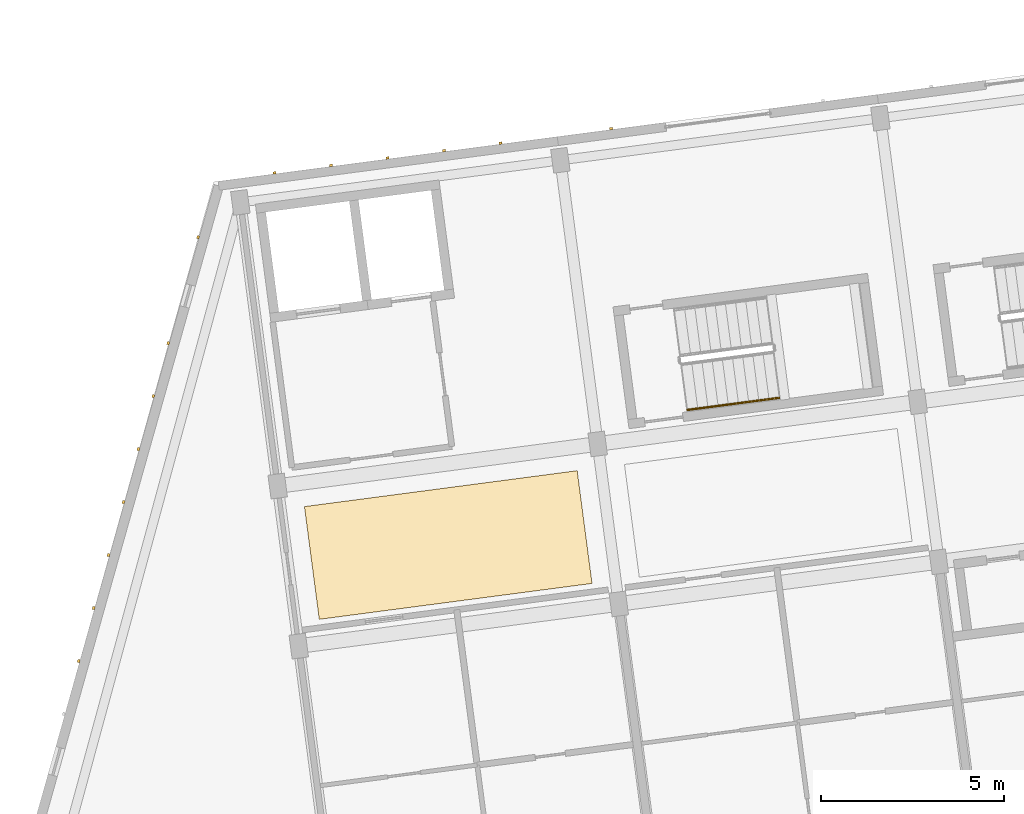
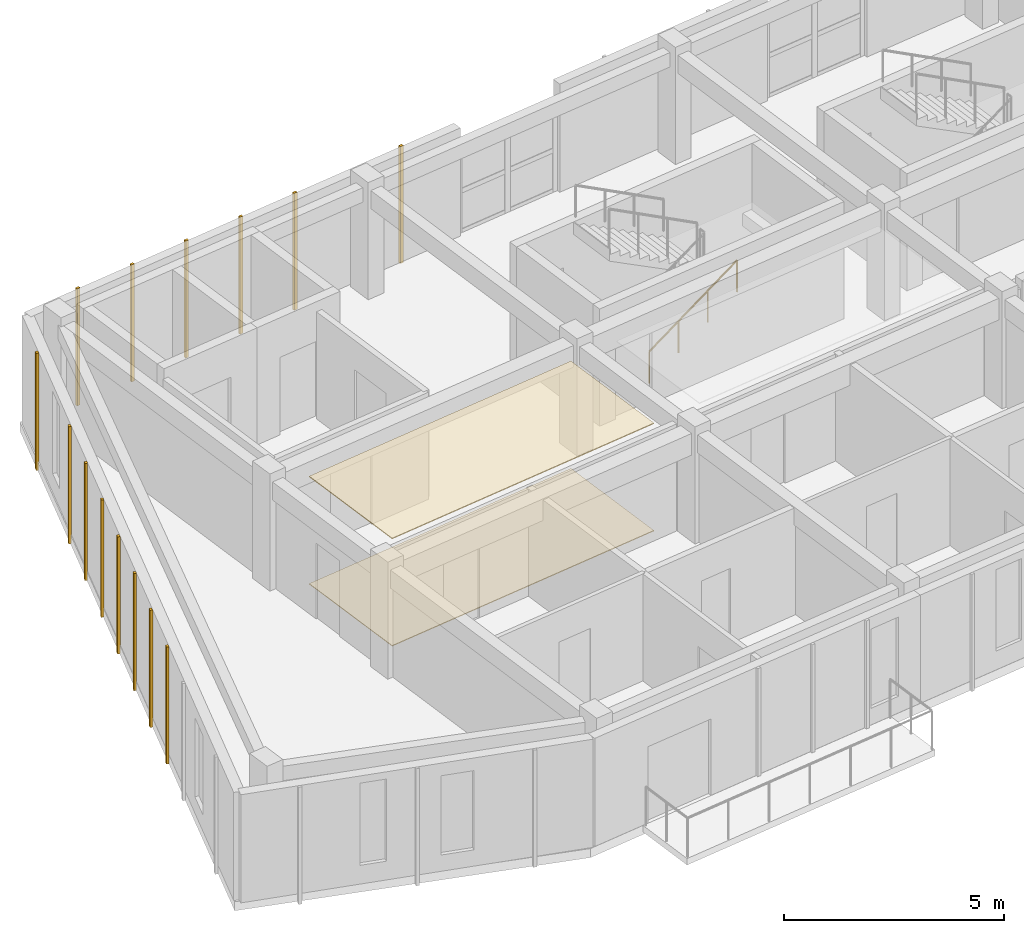
# One storey, part 24 of 34: 16 coverings, 1 railing.
"""IFC4 building model written with IfcOpenShell, lengths in metres."""

from ifc_helpers import new_model, si_unit, direction, frame, origin, origin_2d, place, context, subcontext, project, spatial, polyline, rectangle, circle, outline, extrude, material, layer, layer_set, type_object, element, save


model = new_model("IFC4")

# Units and contexts
model_context = context("Model", 3, precision=1e-05, world=origin(), true_north=direction((0.0, 1.0)))
body_context = subcontext(model_context, "Body", "Model", "MODEL_VIEW")
ifc_project = project(units=[si_unit("LENGTHUNIT", "METRE"), si_unit("AREAUNIT", "SQUARE_METRE"), si_unit("VOLUMEUNIT", "CUBIC_METRE"), si_unit("PLANEANGLEUNIT", "RADIAN"), si_unit("MASSUNIT", "GRAM", prefix="KILO")], contexts=[model_context])

# Site, building, storey
site_placement = place(None, origin())
site = spatial("IfcSite", under=ifc_project, at=site_placement, CompositionType="ELEMENT")
building_placement = place(site_placement, origin())
building = spatial("IfcBuilding", under=site, at=building_placement, Name="Kestramere Prow Commons", CompositionType="ELEMENT")
storey_placement = place(building_placement, frame((0.0, 0.0, 34.39990234375)))
storey = spatial("IfcBuildingStorey", under=building, at=storey_placement, Name="L10", CompositionType="ELEMENT", Elevation=34.39990234375)

# Coverings
ifc_material_1 = material(Name="Mineral Fibre Acoustic Ceiling Tile")
ifc_layer_1 = layer(ifc_material_1, 0.02490234375)
ifc_layer_set_1 = layer_set([ifc_layer_1], Name="Mineral Fibre Acoustic Ceiling Tile")
covering_type_1 = type_object("IfcCoveringType", Name="COV-CEIL-ACOUSTIC", PredefinedType="CEILING", material=ifc_layer_set_1)
covering_1_placement = place(storey_placement, frame((0.0, 0.0, 2.97509765625)))
element("IfcCovering", 1, at=covering_1_placement, inside=storey, type_object=covering_type_1, Name="Block A L10 Corridor Acoustic Ceiling 1", PredefinedType="CEILING", context=body_context, shape_type="SweptSolid", body=[
    extrude(outline(polyline([(10.741455078125, 80.462646484375), (18.17724609375, 81.44140625), (17.772705078125, 84.514892578125), (10.3369140625, 83.5361328125), (10.741455078125, 80.462646484375)])), origin(), (0.0, 0.0, 1.0), 0.02490234375),
])
ifc_material_2 = material(Name="Weathered Zinc-Titanium Standing-Seam Cladding")
ifc_layer_2 = layer(ifc_material_2, 0.074951171875)
ifc_layer_set_2 = layer_set([ifc_layer_2], Name="Weathered Zinc-Titanium Standing-Seam Cladding")
covering_type_2 = type_object("IfcCoveringType", Name="COV-CLAD-SEAM", PredefinedType="CLADDING", material=ifc_layer_set_2)
for number, where, z_axis, x_axis, name in (
    (2, (9.521484375, 92.635009765625, -0.25), (0.0, 0.0, 1.0), (0.991444861374, 0.13052619222, 0.0), "EW-A-L10-N-0 Standing-Seam Rib 1"),
    (3, (11.062255859375, 92.837890625, -0.25), (0.0, 0.0, 1.0), (0.991444861374, 0.13052619222, 0.0), "EW-A-L10-N-0 Standing-Seam Rib 2"),
    (4, (12.603271484375, 93.040771484375, -0.25), (0.0, 0.0, 1.0), (0.991444861374, 0.13052619222, 0.0), "EW-A-L10-N-0 Standing-Seam Rib 3"),
    (5, (14.14404296875, 93.243408203125, -0.25), (0.0, 0.0, 1.0), (0.991444861374, 0.13052619222, 0.0), "EW-A-L10-N-0 Standing-Seam Rib 4"),
    (6, (15.684814453125, 93.4462890625, -0.25), (0.0, 0.0, 1.0), (0.991444861374, 0.13052619222, 0.0), "EW-A-L10-N-0 Standing-Seam Rib 5"),
    (7, (18.700439453125, 93.843505859375, -0.25), (0.0, 0.0, 1.0), (0.991444861374, 0.13052619222, 0.0), "EW-A-L10-NP-1-L Standing-Seam Rib 1"),
    (8, (4.18212890625, 79.326171875, -0.25), (0.0, 0.0, 1.0), (0.271159911526, 0.962534312314, 0.0), "EW-A-L10-PRW-N Standing-Seam Rib 4"),
    (9, (4.5888671875, 80.7705078125, -0.25), (0.0, 0.0, 1.0), (0.271159911526, 0.962534312314, 0.0), "EW-A-L10-PRW-N Standing-Seam Rib 5"),
    (10, (4.995849609375, 82.21484375, -0.25), (0.0, 0.0, 1.0), (0.271159911526, 0.962534312314, 0.0), "EW-A-L10-PRW-N Standing-Seam Rib 6"),
    (11, (5.40283203125, 83.6591796875, -0.25), (0.0, 0.0, 1.0), (0.271159911526, 0.962534312314, 0.0), "EW-A-L10-PRW-N Standing-Seam Rib 7"),
    (12, (5.8095703125, 85.103271484375, -0.25), (0.0, 0.0, 1.0), (0.271159911526, 0.962534312314, 0.0), "EW-A-L10-PRW-N Standing-Seam Rib 8"),
    (13, (6.216552734375, 86.547607421875, -0.25), (0.0, 0.0, 1.0), (0.271159911526, 0.962534312314, 0.0), "EW-A-L10-PRW-N Standing-Seam Rib 9"),
    (14, (6.623291015625, 87.991943359375, -0.25), (0.0, 0.0, 1.0), (0.271159911526, 0.962534312314, 0.0), "EW-A-L10-PRW-N Standing-Seam Rib 10"),
    (15, (7.437255859375, 90.880615234375, -0.25), (0.0, 0.0, 1.0), (0.271159911526, 0.962534312314, 0.0), "EW-A-L10-PRW-N Standing-Seam Rib 12"),
):
    element("IfcCovering", number, at=place(storey_placement, frame(where, z_axis=z_axis, x_axis=x_axis)), inside=storey, type_object=covering_type_2, Name=name, PredefinedType="CLADDING", context=body_context, shape_type="SweptSolid", body=[
        extrude(rectangle(XDim=0.0849609375, YDim=0.06494140625, at=origin_2d()), origin(), (0.0, 0.0, 1.0), 3.25),
    ])
ifc_material_3 = material(Name="Honed Cementitious Terrazzo Tile")
ifc_layer_3 = layer(ifc_material_3, 0.02001953125)
ifc_layer_set_3 = layer_set([ifc_layer_3], Name="Honed Cementitious Terrazzo Tile")
covering_type_3 = type_object("IfcCoveringType", Name="COV-FLOOR-TERRAZZO", PredefinedType="FLOORING", material=ifc_layer_set_3)
covering_2_placement = place(storey_placement, origin())
element("IfcCovering", 16, at=covering_2_placement, inside=storey, type_object=covering_type_3, Name="Block A L10 Corridor Terrazzo Flooring 1", PredefinedType="FLOORING", context=body_context, shape_type="SweptSolid", body=[
    extrude(outline(polyline([(10.741455078125, 80.462646484375), (18.17724609375, 81.44140625), (17.772705078125, 84.514892578125), (10.3369140625, 83.5361328125), (10.741455078125, 80.462646484375)])), origin(), (0.0, 0.0, 1.0), 0.02001953125),
])

# Railing
ifc_material_4 = material(Name="Stainless Steel 304", Category="steel")
railing_type = type_object("IfcRailingType", Name="RL-ST-HR-900", PredefinedType="HANDRAIL", material=ifc_material_4)
railing_placement = place(storey_placement, frame((20.7822265625, 86.171875, 0.3251953125)))
element("IfcRailing", 17, at=railing_placement, inside=storey, type_object=railing_type, Name="L10 ST-A1 stair handrail 1", PredefinedType="HANDRAIL", context=body_context, shape_type="SweptSolid", body=[
    extrude(circle(Radius=0.02392578125, at=origin_2d()), frame((0.0, 0.0, 0.8759765625), z_axis=(0.857492745196, 0.112958098361, 0.501942885148), x_axis=(-0.130602379397, 0.991434828164, 0.0)), (0.0, 0.0, 1.0), 2.91357421875),
    extrude(circle(Radius=0.02099609375, at=origin_2d()), origin(), (0.0, 0.0, 1.0), 0.851806640625),
    extrude(circle(Radius=0.02099609375, at=origin_2d()), frame((0.832763671875, 0.109619140625, 0.487548828125)), (0.0, 0.0, 1.0), 0.851806640625),
    extrude(circle(Radius=0.02099609375, at=origin_2d()), frame((1.66552734375, 0.219482421875, 0.974853515625)), (0.0, 0.0, 1.0), 0.851806640625),
    extrude(circle(Radius=0.02099609375, at=origin_2d()), frame((2.498291015625, 0.3291015625, 1.46240234375)), (0.0, 0.0, 1.0), 0.851806640625),
])

save(model, "model.ifc")
